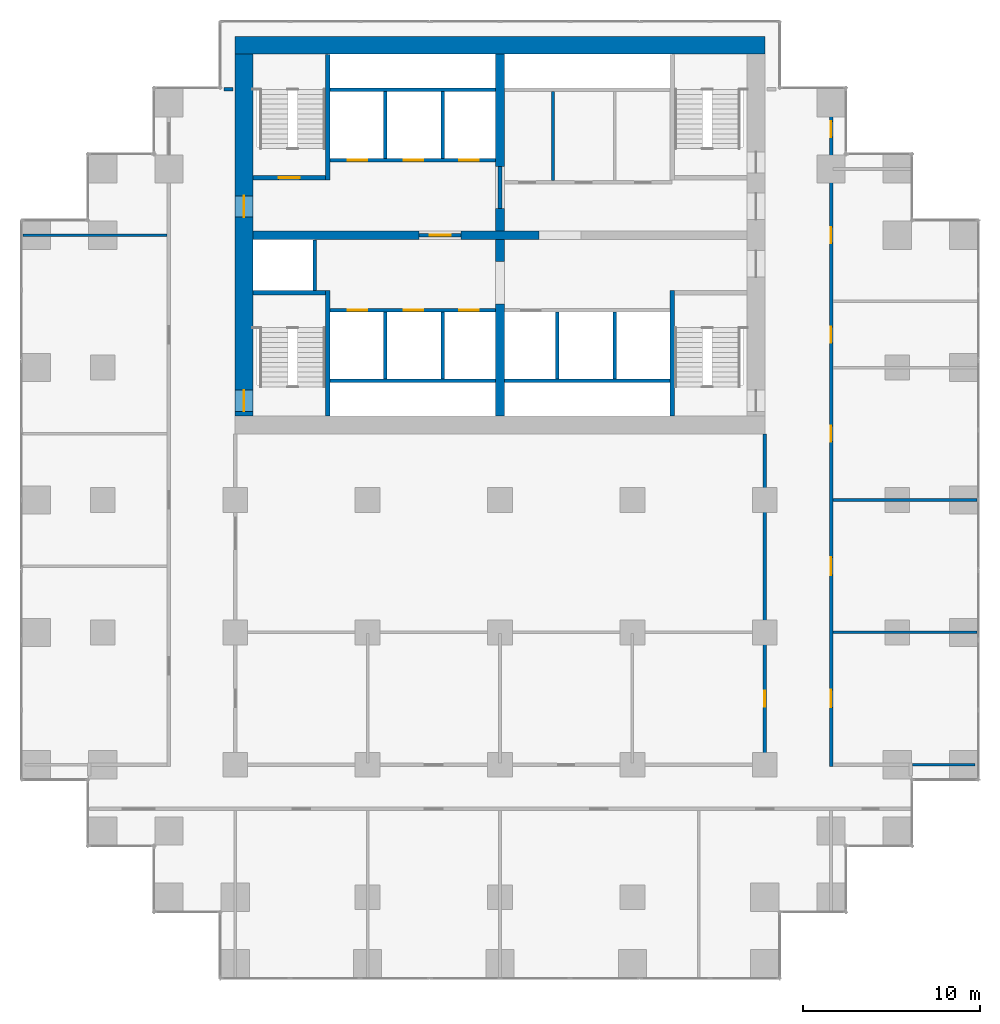
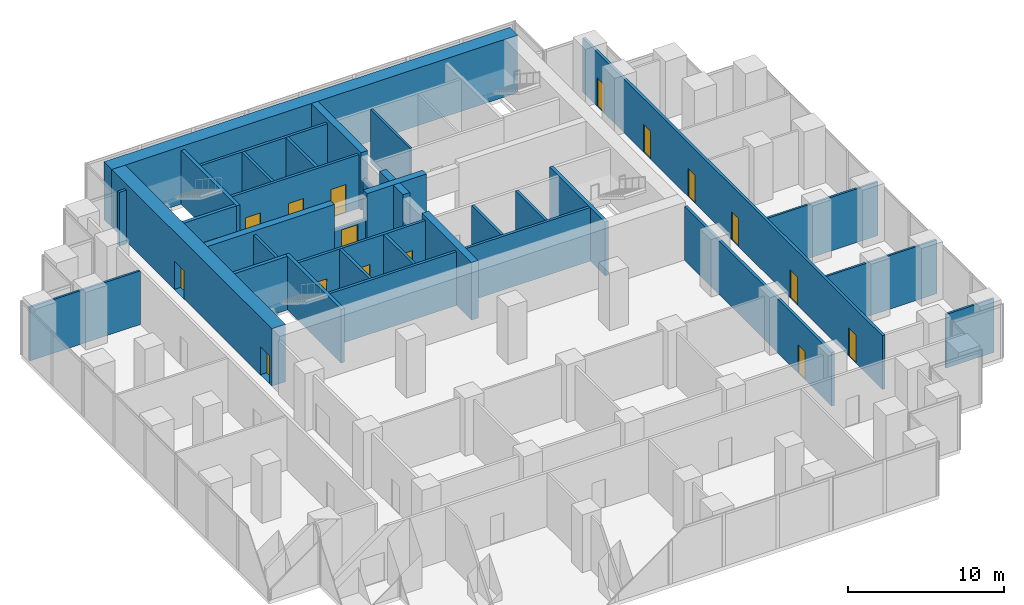
# One storey, part 8 of 10: 35 walls, 17 doors, 17 openings.
"""IFC4 building model written with IfcOpenShell, lengths in metres."""

from ifc_helpers import new_model, si_unit, direction, frame, frame_2d, origin, place, context, subcontext, project, spatial, rectangle, extrude, material, layer, layer_set, type_object, element, fill, save


model = new_model("IFC4")

# Units and contexts
model_context = context("Model", 3, precision=1e-05, world=origin(), true_north=direction((0.0, 1.0)))
body_context = subcontext(model_context, "Body", "Model", "MODEL_VIEW")
ifc_project = project(units=[si_unit("LENGTHUNIT", "METRE"), si_unit("AREAUNIT", "SQUARE_METRE"), si_unit("VOLUMEUNIT", "CUBIC_METRE"), si_unit("PLANEANGLEUNIT", "RADIAN"), si_unit("MASSUNIT", "GRAM", prefix="KILO")], contexts=[model_context])

# Site, building, storey
site_placement = place(None, origin())
site = spatial("IfcSite", under=ifc_project, at=site_placement, CompositionType="ELEMENT")
building_placement = place(site_placement, origin())
building = spatial("IfcBuilding", under=site, at=building_placement, Name="Pilkhan Gate Tower", CompositionType="ELEMENT")
storey_placement = place(building_placement, frame((0.0, 0.0, 35.0)))
storey = spatial("IfcBuildingStorey", under=building, at=storey_placement, Name="L05", CompositionType="ELEMENT", Elevation=35.0)

# Wall
ifc_material_1 = material(Name="Concrete C70/85", Category="concrete")
ifc_layer_1 = layer(ifc_material_1, 1.0)
ifc_layer_set_1 = layer_set([ifc_layer_1], Name="Core wall CW1000 C70/85")
wall_type_1 = type_object("IfcWallType", Name="Core wall CW1000 C70/85", PredefinedType="SHEAR", material=ifc_layer_set_1)
wall_1_placement = place(storey_placement, frame((90.0, 93.25, 0.0), z_axis=(0.0, 0.0, 1.0), x_axis=(-1.0, 0.0, 0.0)))
element("IfcWall", 1, at=wall_1_placement, inside=storey, type_object=wall_type_1, Name="Core wall N L05", PredefinedType="SHEAR", context=body_context, shape_type="SweptSolid", body=[
    extrude(rectangle(XDim=30.0, YDim=1.0, at=frame_2d((15.0, 0.0))), origin(), (0.0, 0.0, 1.0), 4.5),
])

# Wall, openings, doors
wall_2_placement = place(storey_placement, frame((60.5, 92.75, 0.0), z_axis=(0.0, 0.0, 1.0), x_axis=(0.0, -1.0, 0.0)))
wall_2 = element("IfcWall", 2, at=wall_2_placement, inside=storey, type_object=wall_type_1, Name="Core wall W L05", PredefinedType="SHEAR", context=body_context, shape_type="SweptSolid", body=[
    extrude(rectangle(XDim=20.5, YDim=1.0, at=frame_2d((10.25, 0.0))), origin(), (0.0, 0.0, 1.0), 4.5),
])
opening_1_placement = place(wall_2_placement, frame((19.02490234375, 0.0, 0.0)))
opening_1 = element("IfcOpeningElement", 3, at=opening_1_placement, cuts=wall_2, Name="Opening L05-04", PredefinedType="OPENING", context=body_context, shape_type="SweptSolid", body=[
    extrude(rectangle(XDim=1.199951171875, YDim=2.199951171875, at=frame_2d((0.60009765625, 1.10009765625))), frame((0.0, 0.510009765625, 0.0), z_axis=(0.0, -1.0, 0.0), x_axis=(1.0, 0.0, 0.0)), (0.0, 0.0, 1.0), 1.02001953125),
])
opening_2_placement = place(wall_2_placement, frame((8.02490234375, 0.0, 0.0)))
opening_2 = element("IfcOpeningElement", 4, at=opening_2_placement, cuts=wall_2, Name="Opening L05-07", PredefinedType="OPENING", context=body_context, shape_type="SweptSolid", body=[
    extrude(rectangle(XDim=1.199951171875, YDim=2.199951171875, at=frame_2d((0.60009765625, 1.10009765625))), frame((0.0, 0.510009765625, 0.0), z_axis=(0.0, -1.0, 0.0), x_axis=(1.0, 0.0, 0.0)), (0.0, 0.0, 1.0), 1.02001953125),
])
ifc_material_2 = material(Name="Steel door, 120 minute fire resisting, self-closing", Category="steel")
door_type_1 = type_object("IfcDoorType", Name="Firefighting lobby door D10 1200x2200", OperationType="SINGLE_SWING_LEFT", PredefinedType="DOOR", material=ifc_material_2)
door_1_placement = place(opening_2_placement, origin())
door_1 = element("IfcDoor", 5, at=door_1_placement, inside=storey, type_object=door_type_1, Name="Core door", OperationType="SINGLE_SWING_RIGHT", OverallHeight=2.199951171875, OverallWidth=1.199951171875, PredefinedType="DOOR", context=body_context, shape_type="SweptSolid", body=[
    extrude(rectangle(XDim=1.199951171875, YDim=2.199951171875, at=frame_2d((0.60009765625, 1.10009765625))), frame((0.0, 0.02490234375, 0.0), z_axis=(0.0, -1.0, 0.0), x_axis=(1.0, 0.0, 0.0)), (0.0, 0.0, 1.0), 0.050048828125),
])
fill(opening_2, door_1)
ifc_material_3 = material(Name="Steel door, 120 minute fire resisting, panic bar", Category="steel")
door_type_2 = type_object("IfcDoorType", Name="Stair door D11 1200x2200", OperationType="SINGLE_SWING_LEFT", PredefinedType="DOOR", material=ifc_material_3)
door_2_placement = place(opening_1_placement, origin())
door_2 = element("IfcDoor", 6, at=door_2_placement, inside=storey, type_object=door_type_2, Name="Stair ST2 door", OperationType="SINGLE_SWING_RIGHT", OverallHeight=2.199951171875, OverallWidth=1.199951171875, PredefinedType="DOOR", context=body_context, shape_type="SweptSolid", body=[
    extrude(rectangle(XDim=1.199951171875, YDim=2.199951171875, at=frame_2d((0.60009765625, 1.10009765625))), frame((0.0, 0.02490234375, 0.0), z_axis=(0.0, -1.0, 0.0), x_axis=(1.0, 0.0, 0.0)), (0.0, 0.0, 1.0), 0.050048828125),
])
fill(opening_1, door_2)

# Wall
ifc_material_4 = material(Name="Dense blockwork", Category="masonry")
ifc_layer_2 = layer(ifc_material_4, 0.199951171875)
ifc_layer_set_2 = layer_set([ifc_layer_2], Name="Corridor wall FW200")
wall_type_2 = type_object("IfcWallType", Name="Corridor wall FW200", PredefinedType="PARTITIONING", material=ifc_layer_set_2)
wall_3_placement = place(storey_placement, frame((59.35498046875, 90.764892578125, 0.0), z_axis=(0.0, 0.0, 1.0), x_axis=(1.0, 0.0, 0.0)))
element("IfcWall", 7, at=wall_3_placement, inside=storey, type_object=wall_type_2, Name="Partition L05", PredefinedType="PARTITIONING", context=body_context, shape_type="SweptSolid", body=[
    extrude(rectangle(XDim=0.52490234375, YDim=0.199951171875, at=frame_2d((0.262451171875, 0.0))), origin(), (0.0, 0.0, 1.0), 4.199951171875),
])

# Wall, opening, door
wall_4_placement = place(storey_placement, frame((90.0, 52.39990234375, 0.0), z_axis=(0.0, 0.0, 1.0), x_axis=(0.0, 1.0, 0.0)))
wall_4 = element("IfcWall", 8, at=wall_4_placement, inside=storey, type_object=wall_type_2, Name="Partition L05", PredefinedType="PARTITIONING", context=body_context, shape_type="SweptSolid", body=[
    extrude(rectangle(XDim=18.840087890625, YDim=0.199951171875, at=frame_2d((9.419921875, 0.0))), origin(), (0.0, 0.0, 1.0), 4.199951171875),
])
opening_3_placement = place(wall_4_placement, frame((3.39990234375, 0.0, 0.0)))
opening_3 = element("IfcOpeningElement", 9, at=opening_3_placement, cuts=wall_4, Name="Opening L05-32", PredefinedType="OPENING", context=body_context, shape_type="SweptSolid", body=[
    extrude(rectangle(XDim=0.89990234375, YDim=2.199951171875, at=frame_2d((0.449951171875, 1.10009765625))), frame((0.0, 0.10986328125, 0.0), z_axis=(0.0, -1.0, 0.0), x_axis=(1.0, 0.0, 0.0)), (0.0, 0.0, 1.0), 0.219970703125),
])
ifc_material_5 = material(Name="Timber flush door, 30 minute fire resisting", Category="wood")
door_type_3 = type_object("IfcDoorType", Name="Toilet door D06 900x2200", OperationType="SINGLE_SWING_LEFT", PredefinedType="DOOR", material=ifc_material_5)
door_3_placement = place(opening_3_placement, origin())
door_3 = element("IfcDoor", 10, at=door_3_placement, inside=storey, type_object=door_type_3, Name="Toilet door", OperationType="SINGLE_SWING_RIGHT", OverallHeight=2.199951171875, OverallWidth=0.89990234375, PredefinedType="DOOR", context=body_context, shape_type="SweptSolid", body=[
    extrude(rectangle(XDim=0.89990234375, YDim=2.199951171875, at=frame_2d((0.449951171875, 1.10009765625))), frame((0.0, 0.02490234375, 0.0), z_axis=(0.0, -1.0, 0.0), x_axis=(1.0, 0.0, 0.0)), (0.0, 0.0, 1.0), 0.050048828125),
])
fill(opening_3, door_3)

# Wall, openings, doors
wall_5_placement = place(storey_placement, frame((93.75, 52.39990234375, 0.0), z_axis=(0.0, 0.0, 1.0), x_axis=(0.0, 1.0, 0.0)))
wall_5 = element("IfcWall", 11, at=wall_5_placement, inside=storey, type_object=wall_type_2, Name="Partition L05", PredefinedType="PARTITIONING", context=body_context, shape_type="SweptSolid", body=[
    extrude(rectangle(XDim=38.364990234375, YDim=0.199951171875, at=frame_2d((19.1826171875, 0.0))), origin(), (0.0, 0.0, 1.0), 4.199951171875),
])
opening_4_placement = place(wall_5_placement, frame((3.35009765625, 0.0, 0.0)))
opening_4 = element("IfcOpeningElement", 12, at=opening_4_placement, cuts=wall_5, Name="Opening L05-22", PredefinedType="OPENING", context=body_context, shape_type="SweptSolid", body=[
    extrude(rectangle(XDim=1.0, YDim=2.199951171875, at=frame_2d((0.5, 1.10009765625))), frame((0.0, 0.10986328125, 0.0), z_axis=(0.0, -1.0, 0.0), x_axis=(1.0, 0.0, 0.0)), (0.0, 0.0, 1.0), 0.219970703125),
])
opening_5_placement = place(wall_5_placement, frame((10.85009765625, 0.0, 0.0)))
opening_5 = element("IfcOpeningElement", 13, at=opening_5_placement, cuts=wall_5, Name="Opening L05-23", PredefinedType="OPENING", context=body_context, shape_type="SweptSolid", body=[
    extrude(rectangle(XDim=1.0, YDim=2.199951171875, at=frame_2d((0.5, 1.10009765625))), frame((0.0, 0.10986328125, 0.0), z_axis=(0.0, -1.0, 0.0), x_axis=(1.0, 0.0, 0.0)), (0.0, 0.0, 1.0), 0.219970703125),
])
opening_6_placement = place(wall_5_placement, frame((18.39990234375, 0.0, 0.0)))
opening_6 = element("IfcOpeningElement", 14, at=opening_6_placement, cuts=wall_5, Name="Opening L05-24", PredefinedType="OPENING", context=body_context, shape_type="SweptSolid", body=[
    extrude(rectangle(XDim=0.89990234375, YDim=2.199951171875, at=frame_2d((0.449951171875, 1.10009765625))), frame((0.0, 0.10986328125, 0.0), z_axis=(0.0, -1.0, 0.0), x_axis=(1.0, 0.0, 0.0)), (0.0, 0.0, 1.0), 0.219970703125),
])
opening_7_placement = place(wall_5_placement, frame((24.0, 0.0, 0.0)))
opening_7 = element("IfcOpeningElement", 15, at=opening_7_placement, cuts=wall_5, Name="Opening L05-25", PredefinedType="OPENING", context=body_context, shape_type="SweptSolid", body=[
    extrude(rectangle(XDim=0.89990234375, YDim=2.199951171875, at=frame_2d((0.449951171875, 1.10009765625))), frame((0.0, 0.10986328125, 0.0), z_axis=(0.0, -1.0, 0.0), x_axis=(1.0, 0.0, 0.0)), (0.0, 0.0, 1.0), 0.219970703125),
])
opening_8_placement = place(wall_5_placement, frame((29.64990234375, 0.0, 0.0)))
opening_8 = element("IfcOpeningElement", 16, at=opening_8_placement, cuts=wall_5, Name="Opening L05-26", PredefinedType="OPENING", context=body_context, shape_type="SweptSolid", body=[
    extrude(rectangle(XDim=0.89990234375, YDim=2.199951171875, at=frame_2d((0.449951171875, 1.10009765625))), frame((0.0, 0.10986328125, 0.0), z_axis=(0.0, -1.0, 0.0), x_axis=(1.0, 0.0, 0.0)), (0.0, 0.0, 1.0), 0.219970703125),
])
opening_9_placement = place(wall_5_placement, frame((35.64990234375, 0.0, 0.0)))
opening_9 = element("IfcOpeningElement", 17, at=opening_9_placement, cuts=wall_5, Name="Opening L05-27", PredefinedType="OPENING", context=body_context, shape_type="SweptSolid", body=[
    extrude(rectangle(XDim=0.89990234375, YDim=2.199951171875, at=frame_2d((0.449951171875, 1.10009765625))), frame((0.0, 0.10986328125, 0.0), z_axis=(0.0, -1.0, 0.0), x_axis=(1.0, 0.0, 0.0)), (0.0, 0.0, 1.0), 0.219970703125),
])
door_type_4 = type_object("IfcDoorType", Name="Room door D03 1000x2200", OperationType="SINGLE_SWING_LEFT", PredefinedType="DOOR", material=ifc_material_5)
door_4_placement = place(opening_4_placement, origin())
door_4 = element("IfcDoor", 18, at=door_4_placement, inside=storey, type_object=door_type_4, Name="Room door", OperationType="SINGLE_SWING_RIGHT", OverallHeight=2.199951171875, OverallWidth=1.0, PredefinedType="DOOR", context=body_context, shape_type="SweptSolid", body=[
    extrude(rectangle(XDim=1.0, YDim=2.199951171875, at=frame_2d((0.5, 1.10009765625))), frame((0.0, 0.02490234375, 0.0), z_axis=(0.0, -1.0, 0.0), x_axis=(1.0, 0.0, 0.0)), (0.0, 0.0, 1.0), 0.050048828125),
])
fill(opening_4, door_4)
door_5_placement = place(opening_5_placement, origin())
door_5 = element("IfcDoor", 19, at=door_5_placement, inside=storey, type_object=door_type_4, Name="Room door", OperationType="SINGLE_SWING_RIGHT", OverallHeight=2.199951171875, OverallWidth=1.0, PredefinedType="DOOR", context=body_context, shape_type="SweptSolid", body=[
    extrude(rectangle(XDim=1.0, YDim=2.199951171875, at=frame_2d((0.5, 1.10009765625))), frame((0.0, 0.02490234375, 0.0), z_axis=(0.0, -1.0, 0.0), x_axis=(1.0, 0.0, 0.0)), (0.0, 0.0, 1.0), 0.050048828125),
])
fill(opening_5, door_5)
ifc_material_6 = material(Name="Timber flush door, 60 minute fire resisting, self-closing", Category="wood")
door_type_5 = type_object("IfcDoorType", Name="Store door D05 900x2200", OperationType="SINGLE_SWING_LEFT", PredefinedType="DOOR", material=ifc_material_6)
door_6_placement = place(opening_6_placement, origin())
door_6 = element("IfcDoor", 20, at=door_6_placement, inside=storey, type_object=door_type_5, Name="Store door", OperationType="SINGLE_SWING_LEFT", OverallHeight=2.199951171875, OverallWidth=0.89990234375, PredefinedType="DOOR", context=body_context, shape_type="SweptSolid", body=[
    extrude(rectangle(XDim=0.89990234375, YDim=2.199951171875, at=frame_2d((0.449951171875, 1.10009765625))), frame((0.0, 0.02490234375, 0.0), z_axis=(0.0, -1.0, 0.0), x_axis=(1.0, 0.0, 0.0)), (0.0, 0.0, 1.0), 0.050048828125),
])
fill(opening_6, door_6)
door_7_placement = place(opening_8_placement, origin())
door_7 = element("IfcDoor", 21, at=door_7_placement, inside=storey, type_object=door_type_5, Name="Store door", OperationType="SINGLE_SWING_LEFT", OverallHeight=2.199951171875, OverallWidth=0.89990234375, PredefinedType="DOOR", context=body_context, shape_type="SweptSolid", body=[
    extrude(rectangle(XDim=0.89990234375, YDim=2.199951171875, at=frame_2d((0.449951171875, 1.10009765625))), frame((0.0, 0.02490234375, 0.0), z_axis=(0.0, -1.0, 0.0), x_axis=(1.0, 0.0, 0.0)), (0.0, 0.0, 1.0), 0.050048828125),
])
fill(opening_8, door_7)
door_8_placement = place(opening_9_placement, origin())
door_8 = element("IfcDoor", 22, at=door_8_placement, inside=storey, type_object=door_type_5, Name="Store door", OperationType="SINGLE_SWING_RIGHT", OverallHeight=2.199951171875, OverallWidth=0.89990234375, PredefinedType="DOOR", context=body_context, shape_type="SweptSolid", body=[
    extrude(rectangle(XDim=0.89990234375, YDim=2.199951171875, at=frame_2d((0.449951171875, 1.10009765625))), frame((0.0, 0.02490234375, 0.0), z_axis=(0.0, -1.0, 0.0), x_axis=(1.0, 0.0, 0.0)), (0.0, 0.0, 1.0), 0.050048828125),
])
fill(opening_9, door_8)
door_9_placement = place(opening_7_placement, origin())
door_9 = element("IfcDoor", 23, at=door_9_placement, inside=storey, type_object=door_type_3, Name="Toilet door", OperationType="SINGLE_SWING_LEFT", OverallHeight=2.199951171875, OverallWidth=0.89990234375, PredefinedType="DOOR", context=body_context, shape_type="SweptSolid", body=[
    extrude(rectangle(XDim=0.89990234375, YDim=2.199951171875, at=frame_2d((0.449951171875, 1.10009765625))), frame((0.0, 0.02490234375, 0.0), z_axis=(0.0, -1.0, 0.0), x_axis=(1.0, 0.0, 0.0)), (0.0, 0.0, 1.0), 0.050048828125),
])
fill(opening_7, door_9)

# Wall, opening, door
ifc_layer_3 = layer(ifc_material_4, 0.199951171875)
ifc_layer_set_3 = layer_set([ifc_layer_3], Name="Lobby wall LW200")
wall_type_3 = type_object("IfcWallType", Name="Lobby wall LW200", PredefinedType="PARTITIONING", material=ifc_layer_set_3)
wall_6_placement = place(storey_placement, frame((70.409912109375, 82.5, 0.0), z_axis=(0.0, 0.0, 1.0), x_axis=(1.0, 0.0, 0.0)))
wall_6 = element("IfcWall", 24, at=wall_6_placement, inside=storey, type_object=wall_type_3, Name="Partition L05", PredefinedType="PARTITIONING", context=body_context, shape_type="SweptSolid", body=[
    extrude(rectangle(XDim=2.380126953125, YDim=0.199951171875, at=frame_2d((1.18994140625, 0.0))), origin(), (0.0, 0.0, 1.0), 2.39990234375),
])
opening_10_placement = place(wall_6_placement, frame((0.60009765625, 0.0, 0.0)))
opening_10 = element("IfcOpeningElement", 25, at=opening_10_placement, cuts=wall_6, Name="Opening L05-01", PredefinedType="OPENING", context=body_context, shape_type="SweptSolid", body=[
    extrude(rectangle(XDim=1.199951171875, YDim=2.199951171875, at=frame_2d((0.60009765625, 1.10009765625))), frame((0.0, 0.10986328125, 0.0), z_axis=(0.0, -1.0, 0.0), x_axis=(1.0, 0.0, 0.0)), (0.0, 0.0, 1.0), 0.219970703125),
])
door_10_placement = place(opening_10_placement, origin())
door_10 = element("IfcDoor", 26, at=door_10_placement, inside=storey, type_object=door_type_1, Name="Firefighting lobby door", OperationType="SINGLE_SWING_LEFT", OverallHeight=2.199951171875, OverallWidth=1.199951171875, PredefinedType="DOOR", context=body_context, shape_type="SweptSolid", body=[
    extrude(rectangle(XDim=1.199951171875, YDim=2.199951171875, at=frame_2d((0.60009765625, 1.10009765625))), frame((0.0, 0.02490234375, 0.0), z_axis=(0.0, -1.0, 0.0), x_axis=(1.0, 0.0, 0.0)), (0.0, 0.0, 1.0), 0.050048828125),
])
fill(opening_10, door_10)

# Walls
wall_7_placement = place(storey_placement, frame((75.0, 84.010009765625, 0.0), z_axis=(0.0, 0.0, 1.0), x_axis=(0.0, 1.0, 0.0)))
element("IfcWall", 27, at=wall_7_placement, inside=storey, type_object=wall_type_3, Name="Partition L05", PredefinedType="PARTITIONING", context=body_context, shape_type="SweptSolid", body=[
    extrude(rectangle(XDim=2.3798828125, YDim=0.199951171875, at=frame_2d((1.18994140625, 0.0))), origin(), (0.0, 0.0, 1.0), 2.39990234375),
])
ifc_material_7 = material(Name="Blockwork partition, plastered both sides", Category="masonry")
ifc_layer_4 = layer(ifc_material_7, 0.14990234375)
ifc_layer_set_4 = layer_set([ifc_layer_4], Name="Partition PW150")
wall_type_4 = type_object("IfcWallType", Name="Partition PW150", PredefinedType="PARTITIONING", material=ifc_layer_set_4)
wall_8_placement = place(storey_placement, frame((98.364990234375, 52.5, 0.0), z_axis=(0.0, 0.0, 1.0), x_axis=(1.0, 0.0, 0.0)))
element("IfcWall", 28, at=wall_8_placement, inside=storey, type_object=wall_type_4, Name="Partition L05", PredefinedType="PARTITIONING", context=body_context, shape_type="SweptSolid", body=[
    extrude(rectangle(XDim=3.530029296875, YDim=0.14990234375, at=frame_2d((1.76513671875, 0.0))), origin(), (0.0, 0.0, 1.0), 4.199951171875),
])
for number, where, z_axis, x_axis, name in (
    (29, (93.85009765625, 60.0, 0.0), (0.0, 0.0, 1.0), (1.0, 0.0, 0.0), "Partition L05"),
    (30, (93.85009765625, 67.5, 0.0), (0.0, 0.0, 1.0), (1.0, 0.0, 0.0), "Partition L05"),
    (31, (47.985107421875, 82.5, 0.0), (0.0, 0.0, 1.0), (1.0, 0.0, 0.0), "Partition L05"),
):
    element("IfcWall", number, at=place(storey_placement, frame(where, z_axis=z_axis, x_axis=x_axis)), inside=storey, type_object=wall_type_4, Name=name, PredefinedType="PARTITIONING", context=body_context, shape_type="SweptSolid", body=[
        extrude(rectangle(XDim=8.164794921875, YDim=0.14990234375, at=frame_2d((4.08251953125, 0.0))), origin(), (0.0, 0.0, 1.0), 4.199951171875),
    ])
wall_9_placement = place(storey_placement, frame((78.0, 85.60009765625, 0.0), z_axis=(0.0, 0.0, 1.0), x_axis=(0.0, 1.0, 0.0)))
element("IfcWall", 32, at=wall_9_placement, inside=storey, type_object=wall_type_4, Name="Partition L05", PredefinedType="PARTITIONING", context=body_context, shape_type="SweptSolid", body=[
    extrude(rectangle(XDim=5.0498046875, YDim=0.14990234375, at=frame_2d((2.52490234375, 0.0))), origin(), (0.0, 0.0, 1.0), 4.199951171875),
])
ifc_material_8 = material(Name="Reinforced blockwork shaft wall, 120 minute fire resisting", Category="masonry")
ifc_layer_5 = layer(ifc_material_8, 0.199951171875)
ifc_layer_set_5 = layer_set([ifc_layer_5], Name="Shaft wall SW200")
wall_type_5 = type_object("IfcWallType", Name="Shaft wall SW200", PredefinedType="PARTITIONING", material=ifc_layer_set_5)
for number, where, z_axis, x_axis, name in (
    (33, (65.375, 74.25, 0.0), (0.0, 0.0, 1.0), (1.0, 0.0, 0.0), "Partition L05"),
    (34, (75.260009765625, 74.25, 0.0), (0.0, 0.0, 1.0), (1.0, 0.0, 0.0), "Partition L05"),
):
    element("IfcWall", number, at=place(storey_placement, frame(where, z_axis=z_axis, x_axis=x_axis)), inside=storey, type_object=wall_type_5, Name=name, PredefinedType="PARTITIONING", context=body_context, shape_type="SweptSolid", body=[
        extrude(rectangle(XDim=9.364990234375, YDim=0.199951171875, at=frame_2d((4.6826171875, 0.0))), origin(), (0.0, 0.0, 1.0), 4.199951171875),
    ])

# Wall, openings, doors
wall_10_placement = place(storey_placement, frame((65.375, 78.25, 0.0), z_axis=(0.0, 0.0, 1.0), x_axis=(1.0, 0.0, 0.0)))
wall_10 = element("IfcWall", 35, at=wall_10_placement, inside=storey, type_object=wall_type_5, Name="Partition L05", PredefinedType="PARTITIONING", context=body_context, shape_type="SweptSolid", body=[
    extrude(rectangle(XDim=9.364990234375, YDim=0.199951171875, at=frame_2d((4.6826171875, 0.0))), origin(), (0.0, 0.0, 1.0), 4.199951171875),
])
opening_11_placement = place(wall_10_placement, frame((1.0, 0.0, 0.0)))
opening_11 = element("IfcOpeningElement", 36, at=opening_11_placement, cuts=wall_10, Name="Opening LD", PredefinedType="OPENING", context=body_context, shape_type="SweptSolid", body=[
    extrude(rectangle(XDim=1.10009765625, YDim=2.199951171875, at=frame_2d((0.550048828125, 1.10009765625))), frame((0.0, 0.10986328125, 0.0), z_axis=(0.0, -1.0, 0.0), x_axis=(1.0, 0.0, 0.0)), (0.0, 0.0, 1.0), 0.219970703125),
])
opening_12_placement = place(wall_10_placement, frame((4.175048828125, 0.0, 0.0)))
opening_12 = element("IfcOpeningElement", 37, at=opening_12_placement, cuts=wall_10, Name="Opening LD", PredefinedType="OPENING", context=body_context, shape_type="SweptSolid", body=[
    extrude(rectangle(XDim=1.10009765625, YDim=2.199951171875, at=frame_2d((0.550048828125, 1.10009765625))), frame((0.0, 0.10986328125, 0.0), z_axis=(0.0, -1.0, 0.0), x_axis=(1.0, 0.0, 0.0)), (0.0, 0.0, 1.0), 0.219970703125),
])
opening_13_placement = place(wall_10_placement, frame((7.324951171875, 0.0, 0.0)))
opening_13 = element("IfcOpeningElement", 38, at=opening_13_placement, cuts=wall_10, Name="Opening LD", PredefinedType="OPENING", context=body_context, shape_type="SweptSolid", body=[
    extrude(rectangle(XDim=1.10009765625, YDim=2.199951171875, at=frame_2d((0.550048828125, 1.10009765625))), frame((0.0, 0.10986328125, 0.0), z_axis=(0.0, -1.0, 0.0), x_axis=(1.0, 0.0, 0.0)), (0.0, 0.0, 1.0), 0.219970703125),
])
ifc_material_9 = material(Name="Stainless steel centre-opening landing door, 120 minute fire resisting", Category="steel")
door_type_6 = type_object("IfcDoorType", Name="Lift landing door LD 1100x2200", OperationType="DOUBLE_DOOR_SLIDING", PredefinedType="DOOR", material=ifc_material_9)
door_11_placement = place(opening_11_placement, origin())
door_11 = element("IfcDoor", 39, at=door_11_placement, inside=storey, type_object=door_type_6, Name="Landing door LR1", OperationType="DOUBLE_DOOR_SLIDING", OverallHeight=2.199951171875, OverallWidth=1.10009765625, PredefinedType="DOOR", context=body_context, shape_type="SweptSolid", body=[
    extrude(rectangle(XDim=1.10009765625, YDim=2.199951171875, at=frame_2d((0.550048828125, 1.10009765625))), frame((0.0, 0.02490234375, 0.0), z_axis=(0.0, -1.0, 0.0), x_axis=(1.0, 0.0, 0.0)), (0.0, 0.0, 1.0), 0.050048828125),
])
fill(opening_11, door_11)
door_12_placement = place(opening_12_placement, origin())
door_12 = element("IfcDoor", 40, at=door_12_placement, inside=storey, type_object=door_type_6, Name="Landing door LR2", OperationType="DOUBLE_DOOR_SLIDING", OverallHeight=2.199951171875, OverallWidth=1.10009765625, PredefinedType="DOOR", context=body_context, shape_type="SweptSolid", body=[
    extrude(rectangle(XDim=1.10009765625, YDim=2.199951171875, at=frame_2d((0.550048828125, 1.10009765625))), frame((0.0, 0.02490234375, 0.0), z_axis=(0.0, -1.0, 0.0), x_axis=(1.0, 0.0, 0.0)), (0.0, 0.0, 1.0), 0.050048828125),
])
fill(opening_12, door_12)
door_13_placement = place(opening_13_placement, origin())
door_13 = element("IfcDoor", 41, at=door_13_placement, inside=storey, type_object=door_type_6, Name="Landing door LR3", OperationType="DOUBLE_DOOR_SLIDING", OverallHeight=2.199951171875, OverallWidth=1.10009765625, PredefinedType="DOOR", context=body_context, shape_type="SweptSolid", body=[
    extrude(rectangle(XDim=1.10009765625, YDim=2.199951171875, at=frame_2d((0.550048828125, 1.10009765625))), frame((0.0, 0.02490234375, 0.0), z_axis=(0.0, -1.0, 0.0), x_axis=(1.0, 0.0, 0.0)), (0.0, 0.0, 1.0), 0.050048828125),
])
fill(opening_13, door_13)

wall_11_placement = place(storey_placement, frame((65.375, 86.75, 0.0), z_axis=(0.0, 0.0, 1.0), x_axis=(1.0, 0.0, 0.0)))
wall_11 = element("IfcWall", 42, at=wall_11_placement, inside=storey, type_object=wall_type_5, Name="Partition L05", PredefinedType="PARTITIONING", context=body_context, shape_type="SweptSolid", body=[
    extrude(rectangle(XDim=9.364990234375, YDim=0.199951171875, at=frame_2d((4.6826171875, 0.0))), origin(), (0.0, 0.0, 1.0), 4.199951171875),
])
opening_14_placement = place(wall_11_placement, frame((1.0, 0.0, 0.0)))
opening_14 = element("IfcOpeningElement", 43, at=opening_14_placement, cuts=wall_11, Name="Opening LD", PredefinedType="OPENING", context=body_context, shape_type="SweptSolid", body=[
    extrude(rectangle(XDim=1.10009765625, YDim=2.199951171875, at=frame_2d((0.550048828125, 1.10009765625))), frame((0.0, 0.10986328125, 0.0), z_axis=(0.0, -1.0, 0.0), x_axis=(1.0, 0.0, 0.0)), (0.0, 0.0, 1.0), 0.219970703125),
])
opening_15_placement = place(wall_11_placement, frame((4.175048828125, 0.0, 0.0)))
opening_15 = element("IfcOpeningElement", 44, at=opening_15_placement, cuts=wall_11, Name="Opening LD", PredefinedType="OPENING", context=body_context, shape_type="SweptSolid", body=[
    extrude(rectangle(XDim=1.10009765625, YDim=2.199951171875, at=frame_2d((0.550048828125, 1.10009765625))), frame((0.0, 0.10986328125, 0.0), z_axis=(0.0, -1.0, 0.0), x_axis=(1.0, 0.0, 0.0)), (0.0, 0.0, 1.0), 0.219970703125),
])
opening_16_placement = place(wall_11_placement, frame((7.324951171875, 0.0, 0.0)))
opening_16 = element("IfcOpeningElement", 45, at=opening_16_placement, cuts=wall_11, Name="Opening LD", PredefinedType="OPENING", context=body_context, shape_type="SweptSolid", body=[
    extrude(rectangle(XDim=1.10009765625, YDim=2.199951171875, at=frame_2d((0.550048828125, 1.10009765625))), frame((0.0, 0.10986328125, 0.0), z_axis=(0.0, -1.0, 0.0), x_axis=(1.0, 0.0, 0.0)), (0.0, 0.0, 1.0), 0.219970703125),
])
door_14_placement = place(opening_14_placement, origin())
door_14 = element("IfcDoor", 46, at=door_14_placement, inside=storey, type_object=door_type_6, Name="Landing door FF1", OperationType="DOUBLE_DOOR_SLIDING", OverallHeight=2.199951171875, OverallWidth=1.10009765625, PredefinedType="DOOR", context=body_context, shape_type="SweptSolid", body=[
    extrude(rectangle(XDim=1.10009765625, YDim=2.199951171875, at=frame_2d((0.550048828125, 1.10009765625))), frame((0.0, 0.02490234375, 0.0), z_axis=(0.0, -1.0, 0.0), x_axis=(1.0, 0.0, 0.0)), (0.0, 0.0, 1.0), 0.050048828125),
])
fill(opening_14, door_14)
door_15_placement = place(opening_15_placement, origin())
door_15 = element("IfcDoor", 47, at=door_15_placement, inside=storey, type_object=door_type_6, Name="Landing door FF2", OperationType="DOUBLE_DOOR_SLIDING", OverallHeight=2.199951171875, OverallWidth=1.10009765625, PredefinedType="DOOR", context=body_context, shape_type="SweptSolid", body=[
    extrude(rectangle(XDim=1.10009765625, YDim=2.199951171875, at=frame_2d((0.550048828125, 1.10009765625))), frame((0.0, 0.02490234375, 0.0), z_axis=(0.0, -1.0, 0.0), x_axis=(1.0, 0.0, 0.0)), (0.0, 0.0, 1.0), 0.050048828125),
])
fill(opening_15, door_15)
door_16_placement = place(opening_16_placement, origin())
door_16 = element("IfcDoor", 48, at=door_16_placement, inside=storey, type_object=door_type_6, Name="Landing door SV1", OperationType="DOUBLE_DOOR_SLIDING", OverallHeight=2.199951171875, OverallWidth=1.10009765625, PredefinedType="DOOR", context=body_context, shape_type="SweptSolid", body=[
    extrude(rectangle(XDim=1.10009765625, YDim=2.199951171875, at=frame_2d((0.550048828125, 1.10009765625))), frame((0.0, 0.02490234375, 0.0), z_axis=(0.0, -1.0, 0.0), x_axis=(1.0, 0.0, 0.0)), (0.0, 0.0, 1.0), 0.050048828125),
])
fill(opening_16, door_16)

# Walls
wall_12_placement = place(storey_placement, frame((65.375, 90.75, 0.0), z_axis=(0.0, 0.0, 1.0), x_axis=(1.0, 0.0, 0.0)))
element("IfcWall", 49, at=wall_12_placement, inside=storey, type_object=wall_type_5, Name="Partition L05", PredefinedType="PARTITIONING", context=body_context, shape_type="SweptSolid", body=[
    extrude(rectangle(XDim=9.364990234375, YDim=0.199951171875, at=frame_2d((4.6826171875, 0.0))), origin(), (0.0, 0.0, 1.0), 4.199951171875),
])
wall_13_placement = place(storey_placement, frame((64.5, 79.375, 0.0), z_axis=(0.0, 0.0, 1.0), x_axis=(0.0, 1.0, 0.0)))
element("IfcWall", 50, at=wall_13_placement, inside=storey, type_object=wall_type_5, Name="Partition L05", PredefinedType="PARTITIONING", context=body_context, shape_type="SweptSolid", body=[
    extrude(rectangle(XDim=2.864990234375, YDim=0.199951171875, at=frame_2d((1.4326171875, 0.0))), origin(), (0.0, 0.0, 1.0), 4.199951171875),
])
for number, where, z_axis, x_axis, name in (
    (51, (68.5, 74.35009765625, 0.0), (0.0, 0.0, 1.0), (0.0, 1.0, 0.0), "Partition L05"),
    (52, (68.5, 86.85009765625, 0.0), (0.0, 0.0, 1.0), (0.0, 1.0, 0.0), "Partition L05"),
    (53, (71.75, 74.35009765625, 0.0), (0.0, 0.0, 1.0), (0.0, 1.0, 0.0), "Partition L05"),
    (54, (71.75, 86.85009765625, 0.0), (0.0, 0.0, 1.0), (0.0, 1.0, 0.0), "Partition L05"),
    (55, (78.25, 74.35009765625, 0.0), (0.0, 0.0, 1.0), (0.0, 1.0, 0.0), "Partition L05"),
    (56, (81.5, 74.35009765625, 0.0), (0.0, 0.0, 1.0), (0.0, 1.0, 0.0), "Partition L05"),
):
    element("IfcWall", number, at=place(storey_placement, frame(where, z_axis=z_axis, x_axis=x_axis)), inside=storey, type_object=wall_type_5, Name=name, PredefinedType="PARTITIONING", context=body_context, shape_type="SweptSolid", body=[
        extrude(rectangle(XDim=3.7998046875, YDim=0.199951171875, at=frame_2d((1.89990234375, 0.0))), origin(), (0.0, 0.0, 1.0), 4.199951171875),
    ])
ifc_layer_6 = layer(ifc_material_1, 0.5)
ifc_layer_set_6 = layer_set([ifc_layer_6], Name="Spine wall SW500 C70/85")
wall_type_6 = type_object("IfcWallType", Name="Spine wall SW500 C70/85", PredefinedType="SHEAR", material=ifc_layer_set_6)
wall_14_placement = place(storey_placement, frame((61.0, 82.5, 0.0), z_axis=(0.0, 0.0, 1.0), x_axis=(1.0, 0.0, 0.0)))
element("IfcWall", 57, at=wall_14_placement, inside=storey, type_object=wall_type_6, Name="Spine wall SP-EW1 L05", PredefinedType="SHEAR", context=body_context, shape_type="SweptSolid", body=[
    extrude(rectangle(XDim=9.39990234375, YDim=0.5, at=frame_2d((4.699951171875, 0.0))), origin(), (0.0, 0.0, 1.0), 4.5),
])
wall_15_placement = place(storey_placement, frame((72.800048828125, 82.5, 0.0), z_axis=(0.0, 0.0, 1.0), x_axis=(1.0, 0.0, 0.0)))
element("IfcWall", 58, at=wall_15_placement, inside=storey, type_object=wall_type_6, Name="Spine wall SP-EW2 L05", PredefinedType="SHEAR", context=body_context, shape_type="SweptSolid", body=[
    extrude(rectangle(XDim=4.39990234375, YDim=0.5, at=frame_2d((2.199951171875, 0.0))), origin(), (0.0, 0.0, 1.0), 4.5),
])
wall_16_placement = place(storey_placement, frame((75.0, 72.25, 0.0), z_axis=(0.0, 0.0, 1.0), x_axis=(0.0, 1.0, 0.0)))
element("IfcWall", 59, at=wall_16_placement, inside=storey, type_object=wall_type_6, Name="Spine wall SP-NS-S1 L05", PredefinedType="SHEAR", context=body_context, shape_type="SweptSolid", body=[
    extrude(rectangle(XDim=6.35009765625, YDim=0.5, at=frame_2d((3.175048828125, 0.0))), origin(), (0.0, 0.0, 1.0), 4.5),
])
for number, where, z_axis, x_axis, name in (
    (60, (75.0, 81.0, 0.0), (0.0, 0.0, 1.0), (0.0, 1.0, 0.0), "Spine wall SP-NS-S2 L05"),
    (61, (75.0, 82.75, 0.0), (0.0, 0.0, 1.0), (0.0, 1.0, 0.0), "Spine wall SP-NS-N1 L05"),
):
    element("IfcWall", number, at=place(storey_placement, frame(where, z_axis=z_axis, x_axis=x_axis)), inside=storey, type_object=wall_type_6, Name=name, PredefinedType="SHEAR", context=body_context, shape_type="SweptSolid", body=[
        extrude(rectangle(XDim=1.25, YDim=0.5, at=frame_2d((0.625, 0.0))), origin(), (0.0, 0.0, 1.0), 4.5),
    ])
wall_17_placement = place(storey_placement, frame((75.0, 86.39990234375, 0.0), z_axis=(0.0, 0.0, 1.0), x_axis=(0.0, 1.0, 0.0)))
element("IfcWall", 62, at=wall_17_placement, inside=storey, type_object=wall_type_6, Name="Spine wall SP-NS-N2 L05", PredefinedType="SHEAR", context=body_context, shape_type="SweptSolid", body=[
    extrude(rectangle(XDim=6.35009765625, YDim=0.5, at=frame_2d((3.175048828125, 0.0))), origin(), (0.0, 0.0, 1.0), 4.5),
])
ifc_material_10 = material(Name="Reinforced blockwork, 120 minute fire resisting", Category="masonry")
ifc_layer_7 = layer(ifc_material_10, 0.25)
ifc_layer_set_7 = layer_set([ifc_layer_7], Name="Stair enclosure wall SE250")
wall_type_7 = type_object("IfcWallType", Name="Stair enclosure wall SE250", PredefinedType="PARTITIONING", material=ifc_layer_set_7)
wall_18_placement = place(storey_placement, frame((61.010009765625, 79.25, 0.0), z_axis=(0.0, 0.0, 1.0), x_axis=(1.0, 0.0, 0.0)))
element("IfcWall", 63, at=wall_18_placement, inside=storey, type_object=wall_type_7, Name="Partition L05", PredefinedType="PARTITIONING", context=body_context, shape_type="SweptSolid", body=[
    extrude(rectangle(XDim=4.114990234375, YDim=0.25, at=frame_2d((2.0576171875, 0.0))), origin(), (0.0, 0.0, 1.0), 4.199951171875),
])

# Wall, opening, door
wall_19_placement = place(storey_placement, frame((61.010009765625, 85.75, 0.0), z_axis=(0.0, 0.0, 1.0), x_axis=(1.0, 0.0, 0.0)))
wall_19 = element("IfcWall", 64, at=wall_19_placement, inside=storey, type_object=wall_type_7, Name="Partition L05", PredefinedType="PARTITIONING", context=body_context, shape_type="SweptSolid", body=[
    extrude(rectangle(XDim=4.114990234375, YDim=0.25, at=frame_2d((2.0576171875, 0.0))), origin(), (0.0, 0.0, 1.0), 4.199951171875),
])
opening_17_placement = place(wall_19_placement, frame((1.449951171875, 0.0, 0.0)))
opening_17 = element("IfcOpeningElement", 65, at=opening_17_placement, cuts=wall_19, Name="Opening L05-02", PredefinedType="OPENING", context=body_context, shape_type="SweptSolid", body=[
    extrude(rectangle(XDim=1.199951171875, YDim=2.199951171875, at=frame_2d((0.60009765625, 1.10009765625))), frame((0.0, 0.135009765625, 0.0), z_axis=(0.0, -1.0, 0.0), x_axis=(1.0, 0.0, 0.0)), (0.0, 0.0, 1.0), 0.27001953125),
])
door_17_placement = place(opening_17_placement, origin())
door_17 = element("IfcDoor", 66, at=door_17_placement, inside=storey, type_object=door_type_2, Name="Stair ST3 lobby door", OperationType="SINGLE_SWING_LEFT", OverallHeight=2.199951171875, OverallWidth=1.199951171875, PredefinedType="DOOR", context=body_context, shape_type="SweptSolid", body=[
    extrude(rectangle(XDim=1.199951171875, YDim=2.199951171875, at=frame_2d((0.60009765625, 1.10009765625))), frame((0.0, 0.02490234375, 0.0), z_axis=(0.0, -1.0, 0.0), x_axis=(1.0, 0.0, 0.0)), (0.0, 0.0, 1.0), 0.050048828125),
])
fill(opening_17, door_17)

# Walls
for number, where, z_axis, x_axis, name in (
    (67, (65.25, 72.260009765625, 0.0), (0.0, 0.0, 1.0), (0.0, 1.0, 0.0), "Partition L05"),
    (68, (65.25, 85.625, 0.0), (0.0, 0.0, 1.0), (0.0, 1.0, 0.0), "Partition L05"),
    (69, (84.75, 72.260009765625, 0.0), (0.0, 0.0, 1.0), (0.0, 1.0, 0.0), "Partition L05"),
):
    element("IfcWall", number, at=place(storey_placement, frame(where, z_axis=z_axis, x_axis=x_axis)), inside=storey, type_object=wall_type_7, Name=name, PredefinedType="PARTITIONING", context=body_context, shape_type="SweptSolid", body=[
        extrude(rectangle(XDim=7.114990234375, YDim=0.25, at=frame_2d((3.5576171875, 0.0))), origin(), (0.0, 0.0, 1.0), 4.199951171875),
    ])

save(model, "model.ifc")
